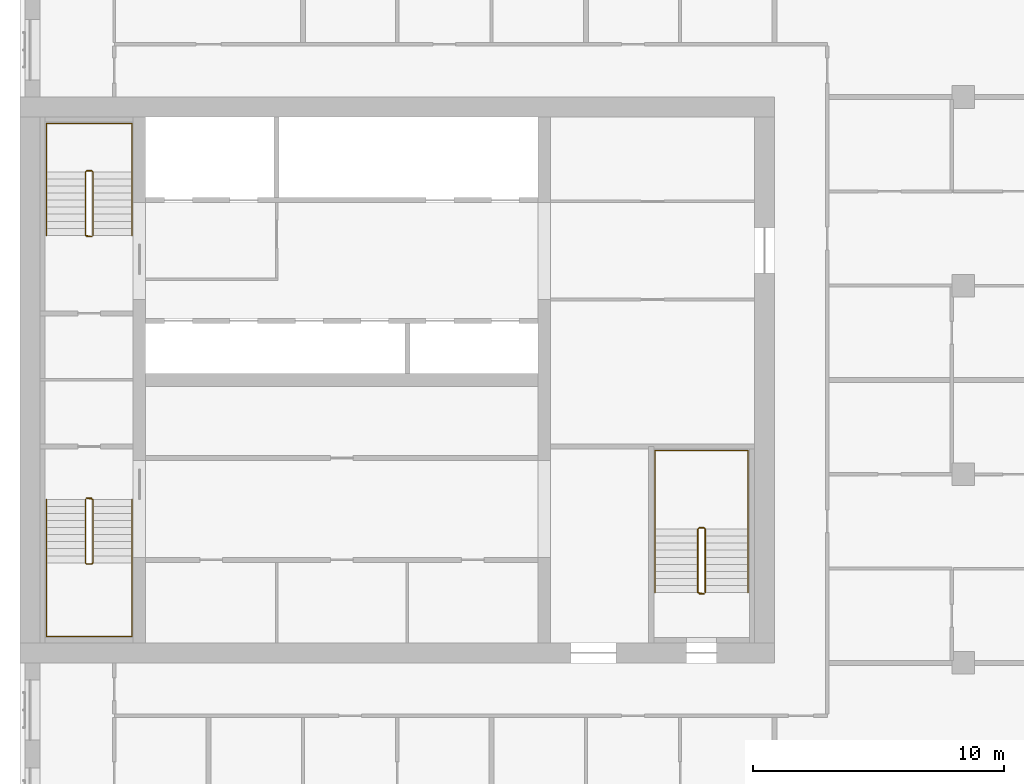
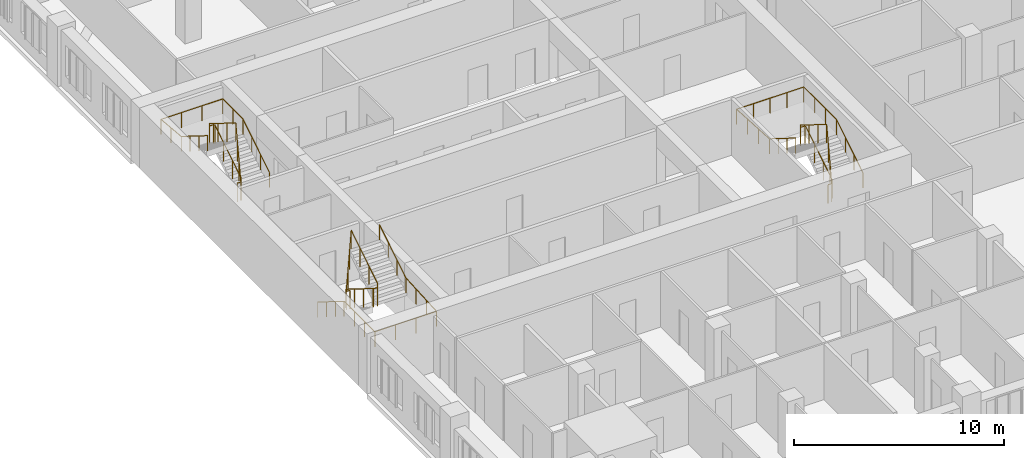
# One storey, part 14 of 14: 6 railings.
"""IFC4 building model written with IfcOpenShell, lengths in metres."""

from ifc_helpers import new_model, si_unit, direction, frame, origin, origin_2d, place, context, subcontext, project, spatial, circle, extrude, material, type_object, element, save


model = new_model("IFC4")

# Units and contexts
model_context = context("Model", 3, precision=1e-05, world=origin(), true_north=direction((0.0, 1.0)))
body_context = subcontext(model_context, "Body", "Model", "MODEL_VIEW")
ifc_project = project(units=[si_unit("LENGTHUNIT", "METRE"), si_unit("AREAUNIT", "SQUARE_METRE"), si_unit("VOLUMEUNIT", "CUBIC_METRE"), si_unit("PLANEANGLEUNIT", "RADIAN"), si_unit("MASSUNIT", "GRAM", prefix="KILO")], contexts=[model_context])

# Site, building, storey
site_placement = place(None, origin())
site = spatial("IfcSite", under=ifc_project, at=site_placement, CompositionType="ELEMENT")
building_placement = place(site_placement, origin())
building = spatial("IfcBuilding", under=site, at=building_placement, Name="Tamorin Gate", CompositionType="ELEMENT")
storey_placement = place(building_placement, frame((0.0, 0.0, 179.199951171875)))
storey = spatial("IfcBuildingStorey", under=building, at=storey_placement, Name="L43", CompositionType="ELEMENT", Elevation=179.199951171875)

# Railings
ifc_material_1 = material(Name="Painted steel balustrade", Category="steel")
railing_type_1 = type_object("IfcRailingType", Name="Stair guard 1100", PredefinedType="GUARDRAIL", material=ifc_material_1)
railing_1_placement = place(storey_placement, frame((32.60009765625, 66.5, 0.175048828125)))
element("IfcRailing", 1, at=railing_1_placement, inside=storey, type_object=railing_type_1, Name="L43 ST1 stair guard 1", PredefinedType="GUARDRAIL", context=body_context, shape_type="SweptSolid", body=[
    extrude(circle(Radius=0.02392578125, at=origin_2d()), frame((0.0, 0.0, 1.076171875), z_axis=(0.0, -0.848007534815, 0.529984170421), x_axis=(1.0, 0.0, 0.0)), (0.0, 0.0, 1.0), 2.9716796875),
    extrude(circle(Radius=0.02392578125, at=origin_2d()), frame((0.0, -2.52001953125, 2.65087890625), z_axis=(0.705375805398, -0.708833529934, 0.0), x_axis=(0.708833529934, 0.705375805398, 0.0)), (0.0, 0.0, 1.0), 0.070556640625),
    extrude(circle(Radius=0.02392578125, at=origin_2d()), frame((0.0498046875, -2.570068359375, 2.65087890625), z_axis=(1.0, 0.0, 0.0), x_axis=(0.0, 1.0, 0.0)), (0.0, 0.0, 1.0), 0.2001953125),
    extrude(circle(Radius=0.02392578125, at=origin_2d()), frame((0.25, -2.570068359375, 2.65087890625), z_axis=(0.263862480399, 0.265155923931, 0.927399011991), x_axis=(-0.708833529934, 0.705375805398, 0.0)), (0.0, 0.0, 1.0), 0.188720703125),
    extrude(circle(Radius=0.02392578125, at=origin_2d()), frame((0.2998046875, -2.52001953125, 2.826171875), z_axis=(0.0, 0.848007534815, 0.529984170421), x_axis=(-1.0, 0.0, 0.0)), (0.0, 0.0, 1.0), 2.9716796875),
    extrude(circle(Radius=0.02392578125, at=origin_2d()), frame((0.2998046875, 0.0, 4.40087890625), z_axis=(-0.071239803756, 0.014261874775, -0.997357252587), x_axis=(-0.196300278283, -0.98054382908, 0.0)), (0.0, 0.0, 1.0), 3.50927734375),
    extrude(circle(Radius=0.02392578125, at=origin_2d()), frame((0.0498046875, 0.050048828125, 0.90087890625), z_axis=(1.0, 0.0, 0.0), x_axis=(0.0, 1.0, 0.0)), (0.0, 0.0, 1.0), 0.2001953125),
    extrude(circle(Radius=0.02099609375, at=origin_2d()), origin(), (0.0, 0.0, 1.0), 1.052001953125),
    extrude(circle(Radius=0.02099609375, at=origin_2d()), frame((0.0, -0.840087890625, 0.52490234375)), (0.0, 0.0, 1.0), 1.052001953125),
    extrude(circle(Radius=0.02099609375, at=origin_2d()), frame((0.0, -1.679931640625, 1.050048828125)), (0.0, 0.0, 1.0), 1.052001953125),
    extrude(circle(Radius=0.02099609375, at=origin_2d()), frame((0.0, -2.52001953125, 1.574951171875)), (0.0, 0.0, 1.0), 1.052001953125),
    extrude(circle(Radius=0.02099609375, at=origin_2d()), frame((0.0498046875, -2.570068359375, 1.574951171875)), (0.0, 0.0, 1.0), 1.052001953125),
    extrude(circle(Radius=0.02099609375, at=origin_2d()), frame((0.25, -2.570068359375, 1.574951171875)), (0.0, 0.0, 1.0), 1.052001953125),
    extrude(circle(Radius=0.02099609375, at=origin_2d()), frame((0.2998046875, -2.52001953125, 1.75)), (0.0, 0.0, 1.0), 1.052001953125),
    extrude(circle(Radius=0.02099609375, at=origin_2d()), frame((0.2998046875, -1.679931640625, 2.27490234375)), (0.0, 0.0, 1.0), 1.052001953125),
    extrude(circle(Radius=0.02099609375, at=origin_2d()), frame((0.2998046875, -0.840087890625, 2.800048828125)), (0.0, 0.0, 1.0), 1.052001953125),
    extrude(circle(Radius=0.02099609375, at=origin_2d()), frame((0.2998046875, 0.0, 3.324951171875)), (0.0, 0.0, 1.0), 1.052001953125),
    extrude(circle(Radius=0.02099609375, at=origin_2d()), frame((0.216552734375, 0.0166015625, 2.158203125)), (0.0, 0.0, 1.0), 1.052001953125),
    extrude(circle(Radius=0.02099609375, at=origin_2d()), frame((0.133056640625, 0.033447265625, 0.99169921875)), (0.0, 0.0, 1.0), 1.052001953125),
    extrude(circle(Radius=0.02099609375, at=origin_2d()), frame((0.0498046875, 0.050048828125, -0.175048828125)), (0.0, 0.0, 1.0), 1.052001953125),
    extrude(circle(Radius=0.02099609375, at=origin_2d()), frame((0.25, 0.050048828125, -0.175048828125)), (0.0, 0.0, 1.0), 1.052001953125),
])
railing_2_placement = place(storey_placement, frame((32.89990234375, 77.0, 0.175048828125)))
element("IfcRailing", 2, at=railing_2_placement, inside=storey, type_object=railing_type_1, Name="L43 ST2 stair guard 1", PredefinedType="GUARDRAIL", context=body_context, shape_type="SweptSolid", body=[
    extrude(circle(Radius=0.02392578125, at=origin_2d()), frame((0.0, 0.0, 1.076171875), z_axis=(0.0, 0.848007534815, 0.529984170421), x_axis=(-1.0, 0.0, 0.0)), (0.0, 0.0, 1.0), 2.9716796875),
    extrude(circle(Radius=0.02392578125, at=origin_2d()), frame((0.0, 2.52001953125, 2.65087890625), z_axis=(-0.705375805398, 0.708833529934, 0.0), x_axis=(-0.708833529934, -0.705375805398, 0.0)), (0.0, 0.0, 1.0), 0.070556640625),
    extrude(circle(Radius=0.02392578125, at=origin_2d()), frame((-0.0498046875, 2.570068359375, 2.65087890625), z_axis=(-1.0, 0.0, 0.0), x_axis=(0.0, -1.0, 0.0)), (0.0, 0.0, 1.0), 0.2001953125),
    extrude(circle(Radius=0.02392578125, at=origin_2d()), frame((-0.25, 2.570068359375, 2.65087890625), z_axis=(-0.263862480399, -0.265155923931, 0.927399011991), x_axis=(0.708833529934, -0.705375805398, 0.0)), (0.0, 0.0, 1.0), 0.188720703125),
    extrude(circle(Radius=0.02392578125, at=origin_2d()), frame((-0.2998046875, 2.52001953125, 2.826171875), z_axis=(0.0, -0.848007534815, 0.529984170421), x_axis=(1.0, 0.0, 0.0)), (0.0, 0.0, 1.0), 2.9716796875),
    extrude(circle(Radius=0.02392578125, at=origin_2d()), frame((-0.2998046875, 0.0, 4.40087890625), z_axis=(0.071239803756, -0.014261874775, -0.997357252587), x_axis=(0.196300278283, 0.98054382908, 0.0)), (0.0, 0.0, 1.0), 3.50927734375),
    extrude(circle(Radius=0.02392578125, at=origin_2d()), frame((-0.0498046875, -0.050048828125, 0.90087890625), z_axis=(-1.0, 0.0, 0.0), x_axis=(0.0, -1.0, 0.0)), (0.0, 0.0, 1.0), 0.2001953125),
    extrude(circle(Radius=0.02099609375, at=origin_2d()), origin(), (0.0, 0.0, 1.0), 1.052001953125),
    extrude(circle(Radius=0.02099609375, at=origin_2d()), frame((0.0, 0.840087890625, 0.52490234375)), (0.0, 0.0, 1.0), 1.052001953125),
    extrude(circle(Radius=0.02099609375, at=origin_2d()), frame((0.0, 1.679931640625, 1.050048828125)), (0.0, 0.0, 1.0), 1.052001953125),
    extrude(circle(Radius=0.02099609375, at=origin_2d()), frame((0.0, 2.52001953125, 1.574951171875)), (0.0, 0.0, 1.0), 1.052001953125),
    extrude(circle(Radius=0.02099609375, at=origin_2d()), frame((-0.0498046875, 2.570068359375, 1.574951171875)), (0.0, 0.0, 1.0), 1.052001953125),
    extrude(circle(Radius=0.02099609375, at=origin_2d()), frame((-0.25, 2.570068359375, 1.574951171875)), (0.0, 0.0, 1.0), 1.052001953125),
    extrude(circle(Radius=0.02099609375, at=origin_2d()), frame((-0.2998046875, 2.52001953125, 1.75)), (0.0, 0.0, 1.0), 1.052001953125),
    extrude(circle(Radius=0.02099609375, at=origin_2d()), frame((-0.2998046875, 1.679931640625, 2.27490234375)), (0.0, 0.0, 1.0), 1.052001953125),
    extrude(circle(Radius=0.02099609375, at=origin_2d()), frame((-0.2998046875, 0.840087890625, 2.800048828125)), (0.0, 0.0, 1.0), 1.052001953125),
    extrude(circle(Radius=0.02099609375, at=origin_2d()), frame((-0.2998046875, 0.0, 3.324951171875)), (0.0, 0.0, 1.0), 1.052001953125),
    extrude(circle(Radius=0.02099609375, at=origin_2d()), frame((-0.216552734375, -0.0166015625, 2.158203125)), (0.0, 0.0, 1.0), 1.052001953125),
    extrude(circle(Radius=0.02099609375, at=origin_2d()), frame((-0.133056640625, -0.033447265625, 0.99169921875)), (0.0, 0.0, 1.0), 1.052001953125),
    extrude(circle(Radius=0.02099609375, at=origin_2d()), frame((-0.0498046875, -0.050048828125, -0.175048828125)), (0.0, 0.0, 1.0), 1.052001953125),
    extrude(circle(Radius=0.02099609375, at=origin_2d()), frame((-0.25, -0.050048828125, -0.175048828125)), (0.0, 0.0, 1.0), 1.052001953125),
])
railing_3_placement = place(storey_placement, frame((57.25, 62.800048828125, 0.175048828125)))
element("IfcRailing", 3, at=railing_3_placement, inside=storey, type_object=railing_type_1, Name="L43 ST3 stair guard 1", PredefinedType="GUARDRAIL", context=body_context, shape_type="SweptSolid", body=[
    extrude(circle(Radius=0.02392578125, at=origin_2d()), frame((0.0, 0.0, 1.076171875), z_axis=(0.0, 0.848007534815, 0.529984170421), x_axis=(-1.0, 0.0, 0.0)), (0.0, 0.0, 1.0), 2.9716796875),
    extrude(circle(Radius=0.02392578125, at=origin_2d()), frame((0.0, 2.52001953125, 2.65087890625), z_axis=(-0.707106781187, 0.707106781187, 0.0), x_axis=(-0.707106781187, -0.707106781187, 0.0)), (0.0, 0.0, 1.0), 0.07080078125),
    extrude(circle(Radius=0.02392578125, at=origin_2d()), frame((-0.050048828125, 2.570068359375, 2.65087890625), z_axis=(-1.0, 0.0, 0.0), x_axis=(0.0, -1.0, 0.0)), (0.0, 0.0, 1.0), 0.199951171875),
    extrude(circle(Radius=0.02392578125, at=origin_2d()), frame((-0.25, 2.570068359375, 2.65087890625), z_axis=(-0.265065253269, -0.265065253269, 0.927081885822), x_axis=(0.707106781187, -0.707106781187, 0.0)), (0.0, 0.0, 1.0), 0.188720703125),
    extrude(circle(Radius=0.02392578125, at=origin_2d()), frame((-0.300048828125, 2.52001953125, 2.826171875), z_axis=(0.0, -0.848007534815, 0.529984170421), x_axis=(1.0, 0.0, 0.0)), (0.0, 0.0, 1.0), 2.9716796875),
    extrude(circle(Radius=0.02392578125, at=origin_2d()), frame((-0.300048828125, 0.0, 4.40087890625), z_axis=(0.071239803756, -0.014261874775, -0.997357252587), x_axis=(0.196300278283, 0.98054382908, 0.0)), (0.0, 0.0, 1.0), 3.50927734375),
    extrude(circle(Radius=0.02392578125, at=origin_2d()), frame((-0.050048828125, -0.050048828125, 0.90087890625), z_axis=(-1.0, 0.0, 0.0), x_axis=(0.0, -1.0, 0.0)), (0.0, 0.0, 1.0), 0.199951171875),
    extrude(circle(Radius=0.02099609375, at=origin_2d()), origin(), (0.0, 0.0, 1.0), 1.052001953125),
    extrude(circle(Radius=0.02099609375, at=origin_2d()), frame((0.0, 0.840087890625, 0.52490234375)), (0.0, 0.0, 1.0), 1.052001953125),
    extrude(circle(Radius=0.02099609375, at=origin_2d()), frame((0.0, 1.679931640625, 1.050048828125)), (0.0, 0.0, 1.0), 1.052001953125),
    extrude(circle(Radius=0.02099609375, at=origin_2d()), frame((0.0, 2.52001953125, 1.574951171875)), (0.0, 0.0, 1.0), 1.052001953125),
    extrude(circle(Radius=0.02099609375, at=origin_2d()), frame((-0.050048828125, 2.570068359375, 1.574951171875)), (0.0, 0.0, 1.0), 1.052001953125),
    extrude(circle(Radius=0.02099609375, at=origin_2d()), frame((-0.25, 2.570068359375, 1.574951171875)), (0.0, 0.0, 1.0), 1.052001953125),
    extrude(circle(Radius=0.02099609375, at=origin_2d()), frame((-0.300048828125, 2.52001953125, 1.75)), (0.0, 0.0, 1.0), 1.052001953125),
    extrude(circle(Radius=0.02099609375, at=origin_2d()), frame((-0.300048828125, 1.679931640625, 2.27490234375)), (0.0, 0.0, 1.0), 1.052001953125),
    extrude(circle(Radius=0.02099609375, at=origin_2d()), frame((-0.300048828125, 0.840087890625, 2.800048828125)), (0.0, 0.0, 1.0), 1.052001953125),
    extrude(circle(Radius=0.02099609375, at=origin_2d()), frame((-0.300048828125, 0.0, 3.324951171875)), (0.0, 0.0, 1.0), 1.052001953125),
    extrude(circle(Radius=0.02099609375, at=origin_2d()), frame((-0.216796875, -0.0166015625, 2.158203125)), (0.0, 0.0, 1.0), 1.052001953125),
    extrude(circle(Radius=0.02099609375, at=origin_2d()), frame((-0.13330078125, -0.033447265625, 0.99169921875)), (0.0, 0.0, 1.0), 1.052001953125),
    extrude(circle(Radius=0.02099609375, at=origin_2d()), frame((-0.050048828125, -0.050048828125, -0.175048828125)), (0.0, 0.0, 1.0), 1.052001953125),
    extrude(circle(Radius=0.02099609375, at=origin_2d()), frame((-0.25, -0.050048828125, -0.175048828125)), (0.0, 0.0, 1.0), 1.052001953125),
])
ifc_material_2 = material(Name="Painted steel handrail", Category="steel")
railing_type_2 = type_object("IfcRailingType", Name="Stair handrail 900", PredefinedType="HANDRAIL", material=ifc_material_2)
railing_4_placement = place(storey_placement, frame((31.050048828125, 66.5, 0.175048828125)))
element("IfcRailing", 4, at=railing_4_placement, inside=storey, type_object=railing_type_2, Name="L43 ST1 stair handrail 1", PredefinedType="HANDRAIL", context=body_context, shape_type="SweptSolid", body=[
    extrude(circle(Radius=0.02392578125, at=origin_2d()), frame((0.0, 0.0, 0.8759765625), z_axis=(0.0, -0.848007534815, 0.529984170421), x_axis=(1.0, 0.0, 0.0)), (0.0, 0.0, 1.0), 2.9716796875),
    extrude(circle(Radius=0.02392578125, at=origin_2d()), frame((0.0, -2.52001953125, 2.45068359375), z_axis=(0.0, -1.0, 0.0), x_axis=(1.0, 0.0, 0.0)), (0.0, 0.0, 1.0), 2.929931640625),
    extrude(circle(Radius=0.02392578125, at=origin_2d()), frame((0.0, -5.449951171875, 2.45068359375), z_axis=(1.0, 0.0, 0.0), x_axis=(0.0, 1.0, 0.0)), (0.0, 0.0, 1.0), 3.39990234375),
    extrude(circle(Radius=0.02392578125, at=origin_2d()), frame((3.39990234375, -5.449951171875, 2.45068359375), z_axis=(0.0, 0.998220029962, 0.0596386769), x_axis=(-1.0, 0.0, 0.0)), (0.0, 0.0, 1.0), 2.93505859375),
    extrude(circle(Radius=0.02392578125, at=origin_2d()), frame((3.39990234375, -2.52001953125, 2.6259765625), z_axis=(0.0, 0.848007534815, 0.529984170421), x_axis=(-1.0, 0.0, 0.0)), (0.0, 0.0, 1.0), 2.9716796875),
    extrude(circle(Radius=0.02099609375, at=origin_2d()), origin(), (0.0, 0.0, 1.0), 0.851806640625),
    extrude(circle(Radius=0.02099609375, at=origin_2d()), frame((0.0, -0.840087890625, 0.52490234375)), (0.0, 0.0, 1.0), 0.851806640625),
    extrude(circle(Radius=0.02099609375, at=origin_2d()), frame((0.0, -1.679931640625, 1.050048828125)), (0.0, 0.0, 1.0), 0.851806640625),
    extrude(circle(Radius=0.02099609375, at=origin_2d()), frame((0.0, -2.52001953125, 1.574951171875)), (0.0, 0.0, 1.0), 0.851806640625),
    extrude(circle(Radius=0.02099609375, at=origin_2d()), frame((0.0, -3.49658203125, 1.574951171875)), (0.0, 0.0, 1.0), 0.851806640625),
    extrude(circle(Radius=0.02099609375, at=origin_2d()), frame((0.0, -4.473388671875, 1.574951171875)), (0.0, 0.0, 1.0), 0.851806640625),
    extrude(circle(Radius=0.02099609375, at=origin_2d()), frame((0.0, -5.449951171875, 1.574951171875)), (0.0, 0.0, 1.0), 0.851806640625),
    extrude(circle(Radius=0.02099609375, at=origin_2d()), frame((1.13330078125, -5.449951171875, 1.574951171875)), (0.0, 0.0, 1.0), 0.851806640625),
    extrude(circle(Radius=0.02099609375, at=origin_2d()), frame((2.2666015625, -5.449951171875, 1.574951171875)), (0.0, 0.0, 1.0), 0.851806640625),
    extrude(circle(Radius=0.02099609375, at=origin_2d()), frame((3.39990234375, -5.449951171875, 1.574951171875)), (0.0, 0.0, 1.0), 0.851806640625),
    extrude(circle(Radius=0.02099609375, at=origin_2d()), frame((3.39990234375, -4.473388671875, 1.63330078125)), (0.0, 0.0, 1.0), 0.851806640625),
    extrude(circle(Radius=0.02099609375, at=origin_2d()), frame((3.39990234375, -3.49658203125, 1.691650390625)), (0.0, 0.0, 1.0), 0.851806640625),
    extrude(circle(Radius=0.02099609375, at=origin_2d()), frame((3.39990234375, -2.52001953125, 1.75)), (0.0, 0.0, 1.0), 0.851806640625),
    extrude(circle(Radius=0.02099609375, at=origin_2d()), frame((3.39990234375, -1.679931640625, 2.27490234375)), (0.0, 0.0, 1.0), 0.851806640625),
    extrude(circle(Radius=0.02099609375, at=origin_2d()), frame((3.39990234375, -0.840087890625, 2.800048828125)), (0.0, 0.0, 1.0), 0.851806640625),
    extrude(circle(Radius=0.02099609375, at=origin_2d()), frame((3.39990234375, 0.0, 3.324951171875)), (0.0, 0.0, 1.0), 0.851806640625),
])
railing_5_placement = place(storey_placement, frame((34.449951171875, 77.0, 0.175048828125)))
element("IfcRailing", 5, at=railing_5_placement, inside=storey, type_object=railing_type_2, Name="L43 ST2 stair handrail 1", PredefinedType="HANDRAIL", context=body_context, shape_type="SweptSolid", body=[
    extrude(circle(Radius=0.02392578125, at=origin_2d()), frame((0.0, 0.0, 0.8759765625), z_axis=(0.0, 0.848007534815, 0.529984170421), x_axis=(-1.0, 0.0, 0.0)), (0.0, 0.0, 1.0), 2.9716796875),
    extrude(circle(Radius=0.02392578125, at=origin_2d()), frame((0.0, 2.52001953125, 2.45068359375), z_axis=(0.0, 1.0, 0.0), x_axis=(-1.0, 0.0, 0.0)), (0.0, 0.0, 1.0), 1.929931640625),
    extrude(circle(Radius=0.02392578125, at=origin_2d()), frame((0.0, 4.449951171875, 2.45068359375), z_axis=(-1.0, 0.0, 0.0), x_axis=(0.0, -1.0, 0.0)), (0.0, 0.0, 1.0), 3.39990234375),
    extrude(circle(Radius=0.02392578125, at=origin_2d()), frame((-3.39990234375, 4.449951171875, 2.45068359375), z_axis=(0.0, -0.995911773435, 0.090331276604), x_axis=(1.0, 0.0, 0.0)), (0.0, 0.0, 1.0), 1.937744140625),
    extrude(circle(Radius=0.02392578125, at=origin_2d()), frame((-3.39990234375, 2.52001953125, 2.6259765625), z_axis=(0.0, -0.848007534815, 0.529984170421), x_axis=(1.0, 0.0, 0.0)), (0.0, 0.0, 1.0), 2.9716796875),
    extrude(circle(Radius=0.02099609375, at=origin_2d()), origin(), (0.0, 0.0, 1.0), 0.851806640625),
    extrude(circle(Radius=0.02099609375, at=origin_2d()), frame((0.0, 0.840087890625, 0.52490234375)), (0.0, 0.0, 1.0), 0.851806640625),
    extrude(circle(Radius=0.02099609375, at=origin_2d()), frame((0.0, 1.679931640625, 1.050048828125)), (0.0, 0.0, 1.0), 0.851806640625),
    extrude(circle(Radius=0.02099609375, at=origin_2d()), frame((0.0, 2.52001953125, 1.574951171875)), (0.0, 0.0, 1.0), 0.851806640625),
    extrude(circle(Radius=0.02099609375, at=origin_2d()), frame((0.0, 3.48486328125, 1.574951171875)), (0.0, 0.0, 1.0), 0.851806640625),
    extrude(circle(Radius=0.02099609375, at=origin_2d()), frame((0.0, 4.449951171875, 1.574951171875)), (0.0, 0.0, 1.0), 0.851806640625),
    extrude(circle(Radius=0.02099609375, at=origin_2d()), frame((-1.13330078125, 4.449951171875, 1.574951171875)), (0.0, 0.0, 1.0), 0.851806640625),
    extrude(circle(Radius=0.02099609375, at=origin_2d()), frame((-2.2666015625, 4.449951171875, 1.574951171875)), (0.0, 0.0, 1.0), 0.851806640625),
    extrude(circle(Radius=0.02099609375, at=origin_2d()), frame((-3.39990234375, 4.449951171875, 1.574951171875)), (0.0, 0.0, 1.0), 0.851806640625),
    extrude(circle(Radius=0.02099609375, at=origin_2d()), frame((-3.39990234375, 3.48486328125, 1.66259765625)), (0.0, 0.0, 1.0), 0.851806640625),
    extrude(circle(Radius=0.02099609375, at=origin_2d()), frame((-3.39990234375, 2.52001953125, 1.75)), (0.0, 0.0, 1.0), 0.851806640625),
    extrude(circle(Radius=0.02099609375, at=origin_2d()), frame((-3.39990234375, 1.679931640625, 2.27490234375)), (0.0, 0.0, 1.0), 0.851806640625),
    extrude(circle(Radius=0.02099609375, at=origin_2d()), frame((-3.39990234375, 0.840087890625, 2.800048828125)), (0.0, 0.0, 1.0), 0.851806640625),
    extrude(circle(Radius=0.02099609375, at=origin_2d()), frame((-3.39990234375, 0.0, 3.324951171875)), (0.0, 0.0, 1.0), 0.851806640625),
])
railing_6_placement = place(storey_placement, frame((58.949951171875, 62.800048828125, 0.175048828125)))
element("IfcRailing", 6, at=railing_6_placement, inside=storey, type_object=railing_type_2, Name="L43 ST3 stair handrail 1", PredefinedType="HANDRAIL", context=body_context, shape_type="SweptSolid", body=[
    extrude(circle(Radius=0.02392578125, at=origin_2d()), frame((0.0, 0.0, 0.8759765625), z_axis=(0.0, 0.848007534815, 0.529984170421), x_axis=(-1.0, 0.0, 0.0)), (0.0, 0.0, 1.0), 2.9716796875),
    extrude(circle(Radius=0.02392578125, at=origin_2d()), frame((0.0, 2.52001953125, 2.45068359375), z_axis=(0.0, 1.0, 0.0), x_axis=(-1.0, 0.0, 0.0)), (0.0, 0.0, 1.0), 3.1298828125),
    extrude(circle(Radius=0.02392578125, at=origin_2d()), frame((0.0, 5.64990234375, 2.45068359375), z_axis=(-1.0, 0.0, 0.0), x_axis=(0.0, -1.0, 0.0)), (0.0, 0.0, 1.0), 3.699951171875),
    extrude(circle(Radius=0.02392578125, at=origin_2d()), frame((-3.699951171875, 5.64990234375, 2.45068359375), z_axis=(0.0, -0.998439675676, 0.055840970941), x_axis=(1.0, 0.0, 0.0)), (0.0, 0.0, 1.0), 3.134765625),
    extrude(circle(Radius=0.02392578125, at=origin_2d()), frame((-3.699951171875, 2.52001953125, 2.6259765625), z_axis=(0.0, -0.848007534815, 0.529984170421), x_axis=(1.0, 0.0, 0.0)), (0.0, 0.0, 1.0), 2.9716796875),
    extrude(circle(Radius=0.02099609375, at=origin_2d()), origin(), (0.0, 0.0, 1.0), 0.851806640625),
    extrude(circle(Radius=0.02099609375, at=origin_2d()), frame((0.0, 0.840087890625, 0.52490234375)), (0.0, 0.0, 1.0), 0.851806640625),
    extrude(circle(Radius=0.02099609375, at=origin_2d()), frame((0.0, 1.679931640625, 1.050048828125)), (0.0, 0.0, 1.0), 0.851806640625),
    extrude(circle(Radius=0.02099609375, at=origin_2d()), frame((0.0, 2.52001953125, 1.574951171875)), (0.0, 0.0, 1.0), 0.851806640625),
    extrude(circle(Radius=0.02099609375, at=origin_2d()), frame((0.0, 3.563232421875, 1.574951171875)), (0.0, 0.0, 1.0), 0.851806640625),
    extrude(circle(Radius=0.02099609375, at=origin_2d()), frame((0.0, 4.606689453125, 1.574951171875)), (0.0, 0.0, 1.0), 0.851806640625),
    extrude(circle(Radius=0.02099609375, at=origin_2d()), frame((0.0, 5.64990234375, 1.574951171875)), (0.0, 0.0, 1.0), 0.851806640625),
    extrude(circle(Radius=0.02099609375, at=origin_2d()), frame((-0.925048828125, 5.64990234375, 1.574951171875)), (0.0, 0.0, 1.0), 0.851806640625),
    extrude(circle(Radius=0.02099609375, at=origin_2d()), frame((-1.85009765625, 5.64990234375, 1.574951171875)), (0.0, 0.0, 1.0), 0.851806640625),
    extrude(circle(Radius=0.02099609375, at=origin_2d()), frame((-2.77490234375, 5.64990234375, 1.574951171875)), (0.0, 0.0, 1.0), 0.851806640625),
    extrude(circle(Radius=0.02099609375, at=origin_2d()), frame((-3.699951171875, 5.64990234375, 1.574951171875)), (0.0, 0.0, 1.0), 0.851806640625),
    extrude(circle(Radius=0.02099609375, at=origin_2d()), frame((-3.699951171875, 4.606689453125, 1.63330078125)), (0.0, 0.0, 1.0), 0.851806640625),
    extrude(circle(Radius=0.02099609375, at=origin_2d()), frame((-3.699951171875, 3.563232421875, 1.691650390625)), (0.0, 0.0, 1.0), 0.851806640625),
    extrude(circle(Radius=0.02099609375, at=origin_2d()), frame((-3.699951171875, 2.52001953125, 1.75)), (0.0, 0.0, 1.0), 0.851806640625),
    extrude(circle(Radius=0.02099609375, at=origin_2d()), frame((-3.699951171875, 1.679931640625, 2.27490234375)), (0.0, 0.0, 1.0), 0.851806640625),
    extrude(circle(Radius=0.02099609375, at=origin_2d()), frame((-3.699951171875, 0.840087890625, 2.800048828125)), (0.0, 0.0, 1.0), 0.851806640625),
    extrude(circle(Radius=0.02099609375, at=origin_2d()), frame((-3.699951171875, 0.0, 3.324951171875)), (0.0, 0.0, 1.0), 0.851806640625),
])

save(model, "model.ifc")
